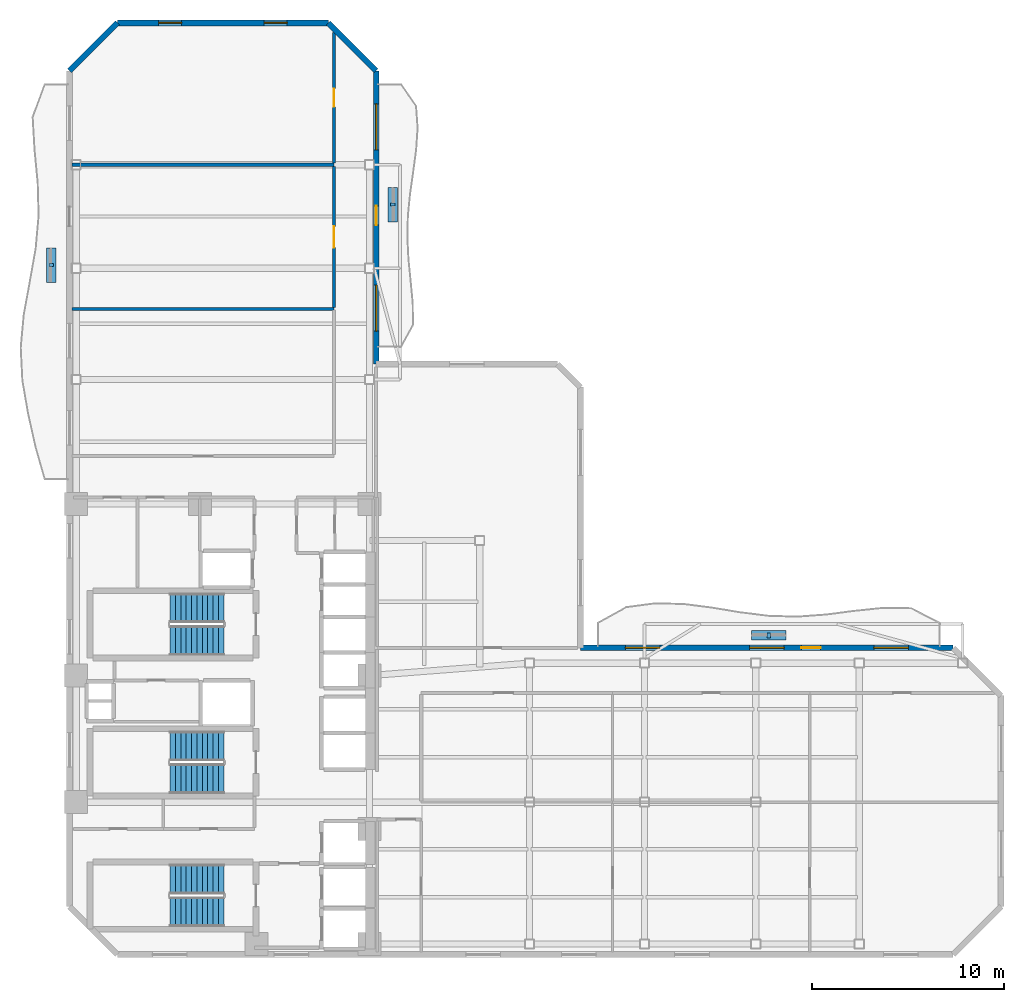
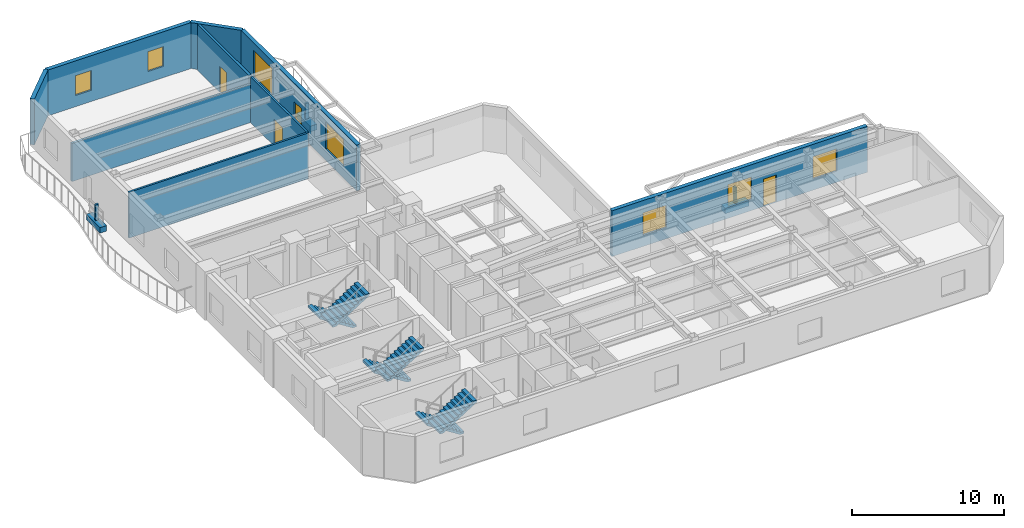
# One storey, part 6 of 9: 9 walls, 7 windows, 6 discrete accessories, 6 stair flights, 4 doors, 11 openings, 3 elements without a shape of their own.
"""IFC4 building model written with IfcOpenShell, lengths in metres."""

import ifcopenshell
import ifcopenshell.guid

model = None  # the IFC model being written
_history = None  # IfcOwnerHistory: only IFC2X3 demands one
_inside = {}  # id of a spatial element -> (the spatial element, [elements in it])
_under = {}  # id of a project, library or spatial element -> (it, [spatial elements below it])
_declared = {}  # id of a project -> (the project, [libraries it declares])
_typed = {}  # id of a type object -> (the type object, [elements of that type])
_made_of = {}  # id of a material, layer set ... -> (it, [elements and type objects made of it])


def new_model(schema):
    """Start an empty IFC model of exactly this schema.

    Asked for "IFC4X3", IfcOpenShell would pick the latest addendum, in which some entities
    have other attributes; the version numbers below select the first issue.
    IFC2X3 requires an IfcOwnerHistory on every rooted entity: one is made here for all.
    """
    global model, _history
    if schema == "IFC4X3":
        model = ifcopenshell.file(schema_version=(4, 3, 0, 0))
    else:
        model = ifcopenshell.file(schema=schema)
    _inside.clear()
    _under.clear()
    _declared.clear()
    _typed.clear()
    _made_of.clear()
    _history = None
    if model.schema == "IFC2X3":
        org = make("IfcOrganization", Name="unknown")
        user = make(
            "IfcPersonAndOrganization",
            ThePerson=make("IfcPerson", FamilyName="unknown"),
            TheOrganization=org,
        )
        app = make(
            "IfcApplication",
            ApplicationDeveloper=org,
            Version="unknown",
            ApplicationFullName="unknown",
            ApplicationIdentifier="unknown",
        )
        _history = make(
            "IfcOwnerHistory",
            OwningUser=user,
            OwningApplication=app,
            ChangeAction="ADDED",
            CreationDate=0,
        )
    return model


def make(cls, **values):
    """One entity of the class cls with the attributes given. An attribute that is None is left unset."""
    return model.create_entity(
        cls, **{name: value for name, value in values.items() if value is not None}
    )


def rooted(cls, **values):
    """An entity with a GlobalId (a new one), such as an element, a storey or a relation."""
    return make(cls, GlobalId=ifcopenshell.guid.new(), OwnerHistory=_history, **values)


def si_unit(unit_type, name, prefix=None):
    """IfcSIUnit, for example si_unit("LENGTHUNIT", "METRE", prefix="MILLI")."""
    return make("IfcSIUnit", UnitType=unit_type, Prefix=prefix, Name=name)


def assignment(units):
    """IfcUnitAssignment: the units of a project."""
    return None if units is None else make("IfcUnitAssignment", Units=units)


def point(xyz):
    """IfcCartesianPoint."""
    return None if xyz is None else make("IfcCartesianPoint", Coordinates=xyz)


def direction(xyz):
    """IfcDirection."""
    return None if xyz is None else make("IfcDirection", DirectionRatios=xyz)


def frame(location, z_axis=None, x_axis=None):
    """IfcAxis2Placement3D, a coordinate frame: its origin and axes. An axis left out is left unset."""
    return make(
        "IfcAxis2Placement3D",
        Location=point(location),
        Axis=direction(z_axis),
        RefDirection=direction(x_axis),
    )


def frame_2d(location, x_axis=None):
    """IfcAxis2Placement2D, a coordinate frame in the plane: its origin and x axis."""
    return make(
        "IfcAxis2Placement2D", Location=point(location), RefDirection=direction(x_axis)
    )


def origin():
    """The frame at (0, 0, 0) with its axes left unset."""
    return frame((0.0, 0.0, 0.0))


def origin_2d():
    """The frame at (0, 0) in the plane with its x axis left unset."""
    return frame_2d((0.0, 0.0))


def place(relative_to, where):
    """IfcLocalPlacement: puts the frame where relative to a parent placement (None: the world)."""
    return make(
        "IfcLocalPlacement", PlacementRelTo=relative_to, RelativePlacement=where
    )


def context(
    kind, dimensions, precision=None, world=None, true_north=None, identifier=None
):
    """IfcGeometricRepresentationContext, for example the 3D "Model" context."""
    return make(
        "IfcGeometricRepresentationContext",
        ContextIdentifier=identifier,
        ContextType=kind,
        CoordinateSpaceDimension=dimensions,
        Precision=precision,
        WorldCoordinateSystem=world,
        TrueNorth=true_north,
    )


def subcontext(parent, identifier, kind, view, scale=None):
    """IfcGeometricRepresentationSubContext, for example "Body" below "Model"."""
    return make(
        "IfcGeometricRepresentationSubContext",
        ContextIdentifier=identifier,
        ContextType=kind,
        ParentContext=parent,
        TargetScale=scale,
        TargetView=view,
    )


def project(units=None, contexts=None):
    """IfcProject with its units and contexts."""
    return rooted(
        "IfcProject",
        Name="project",
        RepresentationContexts=contexts,
        UnitsInContext=assignment(units),
    )


def spatial(cls, under=None, at=None, **own):
    """A site, building, storey or space (cls), placed at a placement, below another one or the project."""
    s = rooted(cls, ObjectPlacement=at, **own)
    if under is not None:
        _under.setdefault(under.id(), (under, []))[1].append(s)
    return s


def polyline(points):
    """IfcPolyline through the points."""
    return make("IfcPolyline", Points=[point(p) for p in points])


def profile(cls, at=None, kind="AREA", **sizes):
    """A parametric profile (cls). Its sizes go by their IFC names, for example OverallWidth=200.0."""
    return make(cls, ProfileType=kind, Position=at, **sizes)


def rectangle(**sizes):
    """IfcRectangleProfileDef."""
    return profile("IfcRectangleProfileDef", **sizes)


def outline(outer, holes=None, kind="AREA"):
    """IfcArbitraryClosedProfileDef: a profile drawn as a closed curve; with holes, ...WithVoids."""
    if holes is None:
        return make("IfcArbitraryClosedProfileDef", ProfileType=kind, OuterCurve=outer)
    return make(
        "IfcArbitraryProfileDefWithVoids",
        ProfileType=kind,
        OuterCurve=outer,
        InnerCurves=holes,
    )


def extrude(swept, where, along, depth):
    """IfcExtrudedAreaSolid: the profile swept, set in the frame where, extruded along a direction by depth."""
    return make(
        "IfcExtrudedAreaSolid",
        SweptArea=swept,
        Position=where,
        ExtrudedDirection=direction(along),
        Depth=depth,
    )


def shape(context_of_items, identifier, shape_type, items):
    """IfcShapeRepresentation: the items that make up one representation, for example the "Body"."""
    return make(
        "IfcShapeRepresentation",
        ContextOfItems=context_of_items,
        RepresentationIdentifier=identifier,
        RepresentationType=shape_type,
        Items=items,
    )


def material(Name=None, Category=None):
    """IfcMaterial."""
    return make("IfcMaterial", Name=Name, Category=Category)


def layer(
    of_material, thickness, ventilated=None, Name=None, Category=None, Priority=None
):
    """IfcMaterialLayer: one layer of a wall or slab, of a material (None: an air gap)."""
    return make(
        "IfcMaterialLayer",
        Material=of_material,
        LayerThickness=thickness,
        IsVentilated=ventilated,
        Name=Name,
        Category=Category,
        Priority=Priority,
    )


def layer_set(layers, Name=None):
    """IfcMaterialLayerSet."""
    return make("IfcMaterialLayerSet", MaterialLayers=layers, LayerSetName=Name)


def made_of(thing, what):
    """Note that an element or type object is made of a material, layer set ...; save() writes the relation."""
    if what is not None:
        _made_of.setdefault(what.id(), (what, []))[1].append(thing)
    return thing


def type_object(cls, material=None, **own):
    """A type object (cls), such as IfcWallType, which elements share."""
    return made_of(rooted(cls, **own), material)


def element(
    cls,
    number,
    at=None,
    inside=None,
    cuts=None,
    type_object=None,
    material=None,
    context=None,
    identifier="Body",
    shape_type=None,
    held_by="IfcProductDefinitionShape",
    body=None,
    shapes=None,
    **own,
):
    """One element of the class cls, such as IfcWall. Its Tag is "e" and its number.

    at: its placement. inside: the storey or other place that contains it. cuts: it is an
    opening in that element (IfcRelVoidsElement). A single representation is given by context,
    identifier, shape_type and body (its items); several are given by shapes. held_by: the class
    of the entity that holds the representations. save() writes the other relations.
    """
    e = rooted(cls, Tag="e%d" % number, ObjectPlacement=at, **own)
    if body is not None:
        shapes = [shape(context, identifier, shape_type, body)]
    if shapes is not None:
        e.Representation = make(held_by, Representations=shapes)
    if inside is not None:
        _inside.setdefault(inside.id(), (inside, []))[1].append(e)
    if cuts is not None:
        rooted(
            "IfcRelVoidsElement", RelatingBuildingElement=cuts, RelatedOpeningElement=e
        )
    if type_object is not None:
        _typed.setdefault(type_object.id(), (type_object, []))[1].append(e)
    return made_of(e, material)


def fill(opening, filler):
    """IfcRelFillsElement: the door or window that sits in an opening."""
    return rooted(
        "IfcRelFillsElement",
        RelatingOpeningElement=opening,
        RelatedBuildingElement=filler,
    )


def aggregate(whole, parts):
    """IfcRelAggregates: a whole, such as a stair, and the parts it consists of."""
    return rooted("IfcRelAggregates", RelatingObject=whole, RelatedObjects=parts)


def save(model, path):
    """Write the relations noted so far, then the file.

    IfcRelAggregates (storeys below a building ...), IfcRelContainedInSpatialStructure (elements
    in a storey), IfcRelDefinesByType, IfcRelAssociatesMaterial and IfcRelDeclares: one each for
    every whole, place, type object, material and project.
    """
    for whole, parts in _under.values():
        aggregate(whole, parts)
    for where, things in _inside.values():
        rooted(
            "IfcRelContainedInSpatialStructure",
            RelatedElements=things,
            RelatingStructure=where,
        )
    for kind, things in _typed.values():
        rooted("IfcRelDefinesByType", RelatedObjects=things, RelatingType=kind)
    for what, things in _made_of.values():
        rooted("IfcRelAssociatesMaterial", RelatedObjects=things, RelatingMaterial=what)
    for by, libraries in _declared.values():
        rooted("IfcRelDeclares", RelatingContext=by, RelatedDefinitions=libraries)
    model.write(path)


model = new_model("IFC4")

# Units and contexts
model_context = context("Model", 3, precision=1e-05, world=origin(), true_north=direction((0.0, 1.0)))
body_context = subcontext(model_context, "Body", "Model", "MODEL_VIEW")
ifc_project = project(units=[si_unit("LENGTHUNIT", "METRE"), si_unit("AREAUNIT", "SQUARE_METRE"), si_unit("VOLUMEUNIT", "CUBIC_METRE"), si_unit("PLANEANGLEUNIT", "RADIAN"), si_unit("MASSUNIT", "GRAM", prefix="KILO")], contexts=[model_context])

# Site, building, storey
site_placement = place(None, origin())
site = spatial("IfcSite", under=ifc_project, at=site_placement, CompositionType="ELEMENT")
building_placement = place(site_placement, origin())
building = spatial("IfcBuilding", under=site, at=building_placement, Name="Mawjaban Terraces University", CompositionType="ELEMENT")
storey_placement = place(building_placement, frame((0.0, 0.0, 111.199951171875)))
storey = spatial("IfcBuildingStorey", under=building, at=storey_placement, Name="L26", CompositionType="ELEMENT", Elevation=111.199951171875)

# Wall
ifc_material_1 = material(Name="Acoustic masonry blockwork", Category="masonry")
ifc_layer_1 = layer(ifc_material_1, 0.179931640625)
ifc_layer_set_1 = layer_set([ifc_layer_1], Name="Acoustic masonry blockwork")
wall_type_1 = type_object("IfcWallType", Name="AcousticStudioWall_180", PredefinedType="PARTITIONING", material=ifc_layer_set_1)
wall_1_placement = place(storey_placement, frame((35.800048828125, 41.199951171875, 0.0), z_axis=(0.0, 0.0, 1.0), x_axis=(-1.0, 0.0, 0.0)))
element("IfcWall", 1, at=wall_1_placement, inside=storey, type_object=wall_type_1, Name="L26 Computational Laboratory 9 Partition 13", PredefinedType="PARTITIONING", context=body_context, shape_type="SweptSolid", body=[
    extrude(rectangle(XDim=13.655029296875, YDim=0.179931640625, at=frame_2d((6.82763671875, 0.0))), origin(), (0.0, 0.0, 1.0), 3.073974609375),
])

# Wall, opening, door
wall_2_placement = place(storey_placement, frame((35.800048828125, 48.094970703125, 0.0), z_axis=(0.0, 0.0, 1.0), x_axis=(0.0, -1.0, 0.0)))
wall_2 = element("IfcWall", 2, at=wall_2_placement, inside=storey, type_object=wall_type_1, Name="L26 Inner Terrace Gallery Corridor North Partition 34", PredefinedType="PARTITIONING", context=body_context, shape_type="SweptSolid", body=[
    extrude(rectangle(XDim=6.81005859375, YDim=0.179931640625, at=frame_2d((3.405029296875, 0.0))), origin(), (0.0, 0.0, 1.0), 3.68994140625),
])
opening_1_placement = place(wall_2_placement, frame((2.929931640625, 0.0, 0.0)))
opening_1 = element("IfcOpeningElement", 3, at=opening_1_placement, cuts=wall_2, Name="Opening ID-095", PredefinedType="OPENING", context=body_context, shape_type="SweptSolid", body=[
    extrude(rectangle(XDim=0.949951171875, YDim=2.10009765625, at=frame_2d((0.47509765625, 1.050048828125))), frame((0.0, 0.099853515625, 0.0), z_axis=(0.0, -1.0, 0.0), x_axis=(1.0, 0.0, 0.0)), (0.0, 0.0, 1.0), 0.199951171875),
])
ifc_material_2 = material(Name="Powder-coated steel frame and solid acoustic timber leaf", Category="steel")
door_type_1 = type_object("IfcDoorType", Name="StudioDoor_950x2100", OperationType="NOTDEFINED", PredefinedType="DOOR", material=ifc_material_2)
door_1_placement = place(opening_1_placement, origin())
door_1 = element("IfcDoor", 4, at=door_1_placement, inside=storey, type_object=door_type_1, Name="L26 Design Studio 10 Door", OperationType="SINGLE_SWING_LEFT", OverallHeight=2.10009765625, OverallWidth=0.949951171875, PredefinedType="DOOR", context=body_context, shape_type="SweptSolid", body=[
    extrude(rectangle(XDim=0.949951171875, YDim=2.10009765625, at=frame_2d((0.47509765625, 1.050048828125))), frame((0.0, 0.02490234375, 0.0), z_axis=(0.0, -1.0, 0.0), x_axis=(1.0, 0.0, 0.0)), (0.0, 0.0, 1.0), 0.050048828125),
])
fill(opening_1, door_1)

# Wall, openings, door, windows
ifc_material_3 = material(Name="Insulated terracotta rainscreen on concrete backup C40/50", Category="masonry")
ifc_layer_2 = layer(ifc_material_3, 0.300048828125)
ifc_layer_set_2 = layer_set([ifc_layer_2], Name="Insulated terracotta rainscreen on concrete backup C40/50")
wall_type_2 = type_object("IfcWallType", Name="ExtTerracottaWall_300", PredefinedType="SOLIDWALL", material=ifc_layer_set_2)
wall_3_placement = place(storey_placement, frame((68.10009765625, 16.0, 0.0), z_axis=(0.0, 0.0, 1.0), x_axis=(-1.0, 0.0, 0.0)))
wall_3 = element("IfcWall", 5, at=wall_3_placement, inside=storey, type_object=wall_type_2, Name="L26 Exterior Terracotta Wall 5", PredefinedType="SOLIDWALL", context=body_context, shape_type="SweptSolid", body=[
    extrude(rectangle(XDim=19.444091796875, YDim=0.300048828125, at=frame_2d((9.72216796875, 0.0))), origin(), (0.0, 0.0, 1.0), 3.68994140625),
])
opening_2_placement = place(wall_3_placement, frame((6.922119140625, 0.0, 0.0)))
opening_2 = element("IfcOpeningElement", 6, at=opening_2_placement, cuts=wall_3, Name="Opening BD-100", PredefinedType="OPENING", context=body_context, shape_type="SweptSolid", body=[
    extrude(rectangle(XDim=1.0, YDim=2.199951171875, at=frame_2d((0.5, 1.10009765625))), frame((0.0, 0.159912109375, 0.0), z_axis=(0.0, -1.0, 0.0), x_axis=(1.0, 0.0, 0.0)), (0.0, 0.0, 1.0), 0.320068359375),
])
opening_3_placement = place(wall_3_placement, frame((2.341064453125, 0.0, 0.89990234375)))
opening_3 = element("IfcOpeningElement", 7, at=opening_3_placement, cuts=wall_3, Name="Opening W-07", PredefinedType="OPENING", context=body_context, shape_type="SweptSolid", body=[
    extrude(rectangle(XDim=1.800048828125, YDim=1.800048828125, at=frame_2d((0.89990234375, 0.89990234375))), frame((0.0, 0.159912109375, 0.0), z_axis=(0.0, -1.0, 0.0), x_axis=(1.0, 0.0, 0.0)), (0.0, 0.0, 1.0), 0.320068359375),
])
opening_4_placement = place(wall_3_placement, frame((8.822021484375, 0.0, 0.89990234375)))
opening_4 = element("IfcOpeningElement", 8, at=opening_4_placement, cuts=wall_3, Name="Opening W-07", PredefinedType="OPENING", context=body_context, shape_type="SweptSolid", body=[
    extrude(rectangle(XDim=1.800048828125, YDim=1.800048828125, at=frame_2d((0.89990234375, 0.89990234375))), frame((0.0, 0.159912109375, 0.0), z_axis=(0.0, -1.0, 0.0), x_axis=(1.0, 0.0, 0.0)), (0.0, 0.0, 1.0), 0.320068359375),
])
opening_5_placement = place(wall_3_placement, frame((15.302978515625, 0.0, 0.89990234375)))
opening_5 = element("IfcOpeningElement", 9, at=opening_5_placement, cuts=wall_3, Name="Opening W-07", PredefinedType="OPENING", context=body_context, shape_type="SweptSolid", body=[
    extrude(rectangle(XDim=1.800048828125, YDim=1.800048828125, at=frame_2d((0.89990234375, 0.89990234375))), frame((0.0, 0.159912109375, 0.0), z_axis=(0.0, -1.0, 0.0), x_axis=(1.0, 0.0, 0.0)), (0.0, 0.0, 1.0), 0.320068359375),
])
ifc_material_4 = material(Name="Thermally broken anodised aluminium and laminated safety glass", Category="aluminium")
door_type_2 = type_object("IfcDoorType", Name="BalconyGlazedDoor_1000x2200", OperationType="NOTDEFINED", PredefinedType="DOOR", material=ifc_material_4)
door_2_placement = place(opening_2_placement, origin())
door_2 = element("IfcDoor", 10, at=door_2_placement, inside=storey, type_object=door_type_2, Name="L26 Balcony Access Door inner_north", OperationType="SINGLE_SWING_LEFT", OverallHeight=2.199951171875, OverallWidth=1.0, PredefinedType="DOOR", context=body_context, shape_type="SweptSolid", body=[
    extrude(rectangle(XDim=1.0, YDim=2.199951171875, at=frame_2d((0.5, 1.10009765625))), frame((0.0, 0.02490234375, 0.0), z_axis=(0.0, -1.0, 0.0), x_axis=(1.0, 0.0, 0.0)), (0.0, 0.0, 1.0), 0.050048828125),
])
fill(opening_2, door_2)
ifc_material_5 = material(Name="Low-E solar-control double glazing in thermally broken aluminium frame", Category="aluminium")
window_type_1 = type_object("IfcWindowType", Name="Win_1800x1800", PartitioningType="SINGLE_PANEL", PredefinedType="WINDOW", material=ifc_material_5)
window_1_placement = place(opening_3_placement, origin())
window_1 = element("IfcWindow", 11, at=window_1_placement, inside=storey, type_object=window_type_1, Name="L26 Facade Window 5.1", OverallHeight=1.800048828125, OverallWidth=1.800048828125, PartitioningType="SINGLE_PANEL", PredefinedType="WINDOW", context=body_context, shape_type="SweptSolid", body=[
    extrude(rectangle(XDim=1.800048828125, YDim=1.800048828125, at=frame_2d((0.89990234375, 0.89990234375))), frame((0.0, 0.030029296875, 0.0), z_axis=(0.0, -1.0, 0.0), x_axis=(1.0, 0.0, 0.0)), (0.0, 0.0, 1.0), 0.06005859375),
])
fill(opening_3, window_1)
window_2_placement = place(opening_4_placement, origin())
window_2 = element("IfcWindow", 12, at=window_2_placement, inside=storey, type_object=window_type_1, Name="L26 Facade Window 5.2", OverallHeight=1.800048828125, OverallWidth=1.800048828125, PartitioningType="SINGLE_PANEL", PredefinedType="WINDOW", context=body_context, shape_type="SweptSolid", body=[
    extrude(rectangle(XDim=1.800048828125, YDim=1.800048828125, at=frame_2d((0.89990234375, 0.89990234375))), frame((0.0, 0.030029296875, 0.0), z_axis=(0.0, -1.0, 0.0), x_axis=(1.0, 0.0, 0.0)), (0.0, 0.0, 1.0), 0.06005859375),
])
fill(opening_4, window_2)
window_3_placement = place(opening_5_placement, origin())
window_3 = element("IfcWindow", 13, at=window_3_placement, inside=storey, type_object=window_type_1, Name="L26 Facade Window 5.3", OverallHeight=1.800048828125, OverallWidth=1.800048828125, PartitioningType="SINGLE_PANEL", PredefinedType="WINDOW", context=body_context, shape_type="SweptSolid", body=[
    extrude(rectangle(XDim=1.800048828125, YDim=1.800048828125, at=frame_2d((0.89990234375, 0.89990234375))), frame((0.0, 0.030029296875, 0.0), z_axis=(0.0, -1.0, 0.0), x_axis=(1.0, 0.0, 0.0)), (0.0, 0.0, 1.0), 0.06005859375),
])
fill(opening_5, window_3)

wall_4_placement = place(storey_placement, frame((38.0, 30.800048828125, 0.0), z_axis=(0.0, 0.0, 1.0), x_axis=(0.0, 1.0, 0.0)))
wall_4 = element("IfcWall", 14, at=wall_4_placement, inside=storey, type_object=wall_type_2, Name="L26 Exterior Terracotta Wall 9", PredefinedType="SOLIDWALL", context=body_context, shape_type="SweptSolid", body=[
    extrude(rectangle(XDim=15.300048828125, YDim=0.300048828125, at=frame_2d((7.64990234375, 0.0))), origin(), (0.0, 0.0, 1.0), 3.68994140625),
])
opening_6_placement = place(wall_4_placement, frame((7.25, 0.0, 0.0)))
opening_6 = element("IfcOpeningElement", 15, at=opening_6_placement, cuts=wall_4, Name="Opening BD-100", PredefinedType="OPENING", context=body_context, shape_type="SweptSolid", body=[
    extrude(rectangle(XDim=1.0, YDim=2.199951171875, at=frame_2d((0.5, 1.10009765625))), frame((0.0, 0.159912109375, 0.0), z_axis=(0.0, -1.0, 0.0), x_axis=(1.0, 0.0, 0.0)), (0.0, 0.0, 1.0), 0.320068359375),
])
opening_7_placement = place(wall_4_placement, frame((1.72509765625, 0.0, 0.89990234375)))
opening_7 = element("IfcOpeningElement", 16, at=opening_7_placement, cuts=wall_4, Name="Opening W-11", PredefinedType="OPENING", context=body_context, shape_type="SweptSolid", body=[
    extrude(rectangle(XDim=2.39990234375, YDim=2.199951171875, at=frame_2d((1.199951171875, 1.10009765625))), frame((0.0, 0.159912109375, 0.0), z_axis=(0.0, -1.0, 0.0), x_axis=(1.0, 0.0, 0.0)), (0.0, 0.0, 1.0), 0.320068359375),
])
opening_8_placement = place(wall_4_placement, frame((11.175048828125, 0.0, 0.89990234375)))
opening_8 = element("IfcOpeningElement", 17, at=opening_8_placement, cuts=wall_4, Name="Opening W-11", PredefinedType="OPENING", context=body_context, shape_type="SweptSolid", body=[
    extrude(rectangle(XDim=2.39990234375, YDim=2.199951171875, at=frame_2d((1.199951171875, 1.10009765625))), frame((0.0, 0.159912109375, 0.0), z_axis=(0.0, -1.0, 0.0), x_axis=(1.0, 0.0, 0.0)), (0.0, 0.0, 1.0), 0.320068359375),
])
door_3_placement = place(opening_6_placement, origin())
door_3 = element("IfcDoor", 18, at=door_3_placement, inside=storey, type_object=door_type_2, Name="L26 Balcony Access Door inner_east", OperationType="SINGLE_SWING_LEFT", OverallHeight=2.199951171875, OverallWidth=1.0, PredefinedType="DOOR", context=body_context, shape_type="SweptSolid", body=[
    extrude(rectangle(XDim=1.0, YDim=2.199951171875, at=frame_2d((0.5, 1.10009765625))), frame((0.0, 0.02490234375, 0.0), z_axis=(0.0, -1.0, 0.0), x_axis=(1.0, 0.0, 0.0)), (0.0, 0.0, 1.0), 0.050048828125),
])
fill(opening_6, door_3)
window_type_2 = type_object("IfcWindowType", Name="Win_2400x2200", PartitioningType="SINGLE_PANEL", PredefinedType="WINDOW", material=ifc_material_5)
window_4_placement = place(opening_7_placement, origin())
window_4 = element("IfcWindow", 19, at=window_4_placement, inside=storey, type_object=window_type_2, Name="L26 Facade Window 9.1", OverallHeight=2.199951171875, OverallWidth=2.39990234375, PartitioningType="SINGLE_PANEL", PredefinedType="WINDOW", context=body_context, shape_type="SweptSolid", body=[
    extrude(rectangle(XDim=2.39990234375, YDim=2.199951171875, at=frame_2d((1.199951171875, 1.10009765625))), frame((0.0, 0.030029296875, 0.0), z_axis=(0.0, -1.0, 0.0), x_axis=(1.0, 0.0, 0.0)), (0.0, 0.0, 1.0), 0.06005859375),
])
fill(opening_7, window_4)
window_5_placement = place(opening_8_placement, origin())
window_5 = element("IfcWindow", 20, at=window_5_placement, inside=storey, type_object=window_type_2, Name="L26 Facade Window 9.2", OverallHeight=2.199951171875, OverallWidth=2.39990234375, PartitioningType="SINGLE_PANEL", PredefinedType="WINDOW", context=body_context, shape_type="SweptSolid", body=[
    extrude(rectangle(XDim=2.39990234375, YDim=2.199951171875, at=frame_2d((1.199951171875, 1.10009765625))), frame((0.0, 0.030029296875, 0.0), z_axis=(0.0, -1.0, 0.0), x_axis=(1.0, 0.0, 0.0)), (0.0, 0.0, 1.0), 0.06005859375),
])
fill(opening_8, window_5)

# Wall
wall_5_placement = place(storey_placement, frame((38.0, 46.10009765625, 0.0), z_axis=(0.0, 0.0, 1.0), x_axis=(-0.707106781187, 0.707106781187, 0.0)))
element("IfcWall", 21, at=wall_5_placement, inside=storey, type_object=wall_type_2, Name="L26 Exterior Terracotta Wall 10", PredefinedType="SOLIDWALL", context=body_context, shape_type="SweptSolid", body=[
    extrude(rectangle(XDim=3.53564453125, YDim=0.300048828125, at=frame_2d((1.767822265625, 0.0))), origin(), (0.0, 0.0, 1.0), 3.68994140625),
])

# Wall, openings, windows
wall_6_placement = place(storey_placement, frame((35.5, 48.60009765625, 0.0), z_axis=(0.0, 0.0, 1.0), x_axis=(-1.0, 0.0, 0.0)))
wall_6 = element("IfcWall", 22, at=wall_6_placement, inside=storey, type_object=wall_type_2, Name="L26 Exterior Terracotta Wall 11", PredefinedType="SOLIDWALL", context=body_context, shape_type="SweptSolid", body=[
    extrude(rectangle(XDim=11.0, YDim=0.300048828125, at=frame_2d((5.5, 0.0))), origin(), (0.0, 0.0, 1.0), 3.68994140625),
])
opening_9_placement = place(wall_6_placement, frame((2.14990234375, 0.0, 0.89990234375)))
opening_9 = element("IfcOpeningElement", 23, at=opening_9_placement, cuts=wall_6, Name="Opening W-01", PredefinedType="OPENING", context=body_context, shape_type="SweptSolid", body=[
    extrude(rectangle(XDim=1.199951171875, YDim=1.60009765625, at=frame_2d((0.60009765625, 0.800048828125))), frame((0.0, 0.159912109375, 0.0), z_axis=(0.0, -1.0, 0.0), x_axis=(1.0, 0.0, 0.0)), (0.0, 0.0, 1.0), 0.320068359375),
])
opening_10_placement = place(wall_6_placement, frame((7.64990234375, 0.0, 0.89990234375)))
opening_10 = element("IfcOpeningElement", 24, at=opening_10_placement, cuts=wall_6, Name="Opening W-01", PredefinedType="OPENING", context=body_context, shape_type="SweptSolid", body=[
    extrude(rectangle(XDim=1.199951171875, YDim=1.60009765625, at=frame_2d((0.60009765625, 0.800048828125))), frame((0.0, 0.159912109375, 0.0), z_axis=(0.0, -1.0, 0.0), x_axis=(1.0, 0.0, 0.0)), (0.0, 0.0, 1.0), 0.320068359375),
])
window_type_3 = type_object("IfcWindowType", Name="Win_1200x1600", PartitioningType="SINGLE_PANEL", PredefinedType="WINDOW", material=ifc_material_5)
window_6_placement = place(opening_9_placement, origin())
window_6 = element("IfcWindow", 25, at=window_6_placement, inside=storey, type_object=window_type_3, Name="L26 Facade Window 11.1", OverallHeight=1.60009765625, OverallWidth=1.199951171875, PartitioningType="SINGLE_PANEL", PredefinedType="WINDOW", context=body_context, shape_type="SweptSolid", body=[
    extrude(rectangle(XDim=1.199951171875, YDim=1.60009765625, at=frame_2d((0.60009765625, 0.800048828125))), frame((0.0, 0.030029296875, 0.0), z_axis=(0.0, -1.0, 0.0), x_axis=(1.0, 0.0, 0.0)), (0.0, 0.0, 1.0), 0.06005859375),
])
fill(opening_9, window_6)
window_7_placement = place(opening_10_placement, origin())
window_7 = element("IfcWindow", 26, at=window_7_placement, inside=storey, type_object=window_type_3, Name="L26 Facade Window 11.2", OverallHeight=1.60009765625, OverallWidth=1.199951171875, PartitioningType="SINGLE_PANEL", PredefinedType="WINDOW", context=body_context, shape_type="SweptSolid", body=[
    extrude(rectangle(XDim=1.199951171875, YDim=1.60009765625, at=frame_2d((0.60009765625, 0.800048828125))), frame((0.0, 0.030029296875, 0.0), z_axis=(0.0, -1.0, 0.0), x_axis=(1.0, 0.0, 0.0)), (0.0, 0.0, 1.0), 0.06005859375),
])
fill(opening_10, window_7)

# Walls
wall_7_placement = place(storey_placement, frame((24.5, 48.60009765625, 0.0), z_axis=(0.0, 0.0, 1.0), x_axis=(-0.707106781187, -0.707106781187, 0.0)))
element("IfcWall", 27, at=wall_7_placement, inside=storey, type_object=wall_type_2, Name="L26 Exterior Terracotta Wall 12", PredefinedType="SOLIDWALL", context=body_context, shape_type="SweptSolid", body=[
    extrude(rectangle(XDim=3.53564453125, YDim=0.300048828125, at=frame_2d((1.767822265625, 0.0))), origin(), (0.0, 0.0, 1.0), 3.68994140625),
])
ifc_material_6 = material(Name="Moisture-resistant gypsum board on steel stud", Category="steel")
ifc_layer_3 = layer(ifc_material_6, 0.14501953125)
ifc_layer_set_3 = layer_set([ifc_layer_3], Name="Moisture-resistant gypsum board on steel stud")
wall_type_3 = type_object("IfcWallType", Name="LabPartition_145", PredefinedType="PARTITIONING", material=ifc_layer_set_3)
wall_8_placement = place(storey_placement, frame((35.800048828125, 33.679931640625, 0.0), z_axis=(0.0, 0.0, 1.0), x_axis=(-1.0, 0.0, 0.0)))
element("IfcWall", 28, at=wall_8_placement, inside=storey, type_object=wall_type_3, Name="L26 Classroom 8 Partition 12", PredefinedType="PARTITIONING", context=body_context, shape_type="SweptSolid", body=[
    extrude(rectangle(XDim=13.655029296875, YDim=0.14501953125, at=frame_2d((6.82763671875, 0.0))), origin(), (0.0, 0.0, 1.0), 3.68994140625),
])

# Wall, opening, door
wall_9_placement = place(storey_placement, frame((35.800048828125, 41.114990234375, 0.0), z_axis=(0.0, 0.0, 1.0), x_axis=(0.0, -1.0, 0.0)))
wall_9 = element("IfcWall", 29, at=wall_9_placement, inside=storey, type_object=wall_type_3, Name="L26 Inner Terrace Gallery Corridor North Partition 33", PredefinedType="PARTITIONING", context=body_context, shape_type="SweptSolid", body=[
    extrude(rectangle(XDim=7.366943359375, YDim=0.14501953125, at=frame_2d((3.68359375, 0.0))), origin(), (0.0, 0.0, 1.0), 3.68994140625),
])
opening_11_placement = place(wall_9_placement, frame((3.134033203125, 0.0, 0.0)))
opening_11 = element("IfcOpeningElement", 30, at=opening_11_placement, cuts=wall_9, Name="Opening ID-110", PredefinedType="OPENING", context=body_context, shape_type="SweptSolid", body=[
    extrude(rectangle(XDim=1.10009765625, YDim=2.14990234375, at=frame_2d((0.550048828125, 1.074951171875))), frame((0.0, 0.08251953125, 0.0), z_axis=(0.0, -1.0, 0.0), x_axis=(1.0, 0.0, 0.0)), (0.0, 0.0, 1.0), 0.1650390625),
])
door_type_3 = type_object("IfcDoorType", Name="LabDoor_1100x2150", OperationType="NOTDEFINED", PredefinedType="DOOR", material=ifc_material_2)
door_4_placement = place(opening_11_placement, origin())
door_4 = element("IfcDoor", 31, at=door_4_placement, inside=storey, type_object=door_type_3, Name="L26 Computational Laboratory 9 Door", OperationType="SINGLE_SWING_RIGHT", OverallHeight=2.14990234375, OverallWidth=1.10009765625, PredefinedType="DOOR", context=body_context, shape_type="SweptSolid", body=[
    extrude(rectangle(XDim=1.10009765625, YDim=2.14990234375, at=frame_2d((0.550048828125, 1.074951171875))), frame((0.0, 0.02490234375, 0.0), z_axis=(0.0, -1.0, 0.0), x_axis=(1.0, 0.0, 0.0)), (0.0, 0.0, 1.0), 0.050048828125),
])
fill(opening_11, door_4)

# Stair, stair flights
ifc_material_7 = material(Name="Concrete C40/50", Category="concrete")
stair_type = type_object("IfcStairType", Name="Stair_Core1550_H39", PredefinedType="HALF_TURN_STAIR", material=ifc_material_7)
stair_1_placement = place(storey_placement, origin())
stair_1 = element("IfcStair", 32, at=stair_1_placement, inside=storey, type_object=stair_type, Name="L26 Core Exit Stair 1", PredefinedType="HALF_TURN_STAIR")
stair_flight_type = type_object("IfcStairFlightType", Name="Flight_Core1550_H39", PredefinedType="STRAIGHT", material=ifc_material_7)
stair_flight_1_placement = place(storey_placement, frame((30.050048828125, 3.925048828125, 0.0), z_axis=(0.0, 0.0, 1.0), x_axis=(-1.0, 0.0, 0.0)))
stair_flight_1 = element("IfcStairFlight", 33, at=stair_flight_1_placement, type_object=stair_flight_type, Name="ST-1 flight 1", NumberOfRisers=11, NumberOfTreads=10, PredefinedType="STRAIGHT", RiserHeight=0.177272727, TreadLength=0.28, context=body_context, shape_type="SweptSolid", body=[
    extrude(outline(polyline([(0.0, 0.0), (0.0, 0.17724609375), (0.280029296875, 0.17724609375), (0.280029296875, 0.3544921875), (0.56005859375, 0.3544921875), (0.56005859375, 0.53173828125), (0.840087890625, 0.53173828125), (0.840087890625, 0.708984375), (1.1201171875, 0.708984375), (1.1201171875, 0.886474609375), (1.39990234375, 0.886474609375), (1.39990234375, 1.063720703125), (1.679931640625, 1.063720703125), (1.679931640625, 1.240966796875), (1.9599609375, 1.240966796875), (1.9599609375, 1.418212890625), (2.239990234375, 1.418212890625), (2.239990234375, 1.595458984375), (2.52001953125, 1.595458984375), (2.52001953125, 1.772705078125), (2.800048828125, 1.772705078125), (2.800048828125, 1.949951171875), (2.800048828125, 1.59521484375), (0.2802734375, 0.0), (0.0, 0.0)])), frame((0.0, 0.77490234375, 0.0), z_axis=(0.0, -1.0, 0.0), x_axis=(1.0, 0.0, 0.0)), (0.0, 0.0, 1.0), 1.550048828125),
])
stair_flight_2_placement = place(storey_placement, frame((27.25, 2.22509765625, 1.949951171875), z_axis=(0.0, 0.0, 1.0), x_axis=(1.0, 0.0, 0.0)))
stair_flight_2 = element("IfcStairFlight", 34, at=stair_flight_2_placement, type_object=stair_flight_type, Name="ST-1 flight 2", NumberOfRisers=11, NumberOfTreads=10, PredefinedType="STRAIGHT", RiserHeight=0.177272727, TreadLength=0.28, context=body_context, shape_type="SweptSolid", body=[
    extrude(outline(polyline([(0.0, 0.0), (0.0, 0.17724609375), (0.280029296875, 0.17724609375), (0.280029296875, 0.3544921875), (0.56005859375, 0.3544921875), (0.56005859375, 0.53173828125), (0.840087890625, 0.53173828125), (0.840087890625, 0.708984375), (1.1201171875, 0.708984375), (1.1201171875, 0.886474609375), (1.39990234375, 0.886474609375), (1.39990234375, 1.063720703125), (1.679931640625, 1.063720703125), (1.679931640625, 1.240966796875), (1.9599609375, 1.240966796875), (1.9599609375, 1.418212890625), (2.239990234375, 1.418212890625), (2.239990234375, 1.595458984375), (2.52001953125, 1.595458984375), (2.52001953125, 1.772705078125), (2.800048828125, 1.772705078125), (2.800048828125, 1.949951171875), (2.800048828125, 1.59521484375), (0.2802734375, 0.0), (0.0, 0.0)])), frame((0.0, 0.77490234375, 0.0), z_axis=(0.0, -1.0, 0.0), x_axis=(1.0, 0.0, 0.0)), (0.0, 0.0, 1.0), 1.550048828125),
])
aggregate(stair_1, [stair_flight_1, stair_flight_2])

stair_2_placement = place(storey_placement, origin())
stair_2 = element("IfcStair", 35, at=stair_2_placement, inside=storey, type_object=stair_type, Name="L26 Core Exit Stair 2", PredefinedType="HALF_TURN_STAIR")
stair_flight_3_placement = place(storey_placement, frame((30.050048828125, 18.074951171875, 0.0), z_axis=(0.0, 0.0, 1.0), x_axis=(-1.0, 0.0, 0.0)))
stair_flight_3 = element("IfcStairFlight", 36, at=stair_flight_3_placement, type_object=stair_flight_type, Name="ST-2 flight 1", NumberOfRisers=11, NumberOfTreads=10, PredefinedType="STRAIGHT", RiserHeight=0.177272727, TreadLength=0.28, context=body_context, shape_type="SweptSolid", body=[
    extrude(outline(polyline([(0.0, 0.0), (0.0, 0.17724609375), (0.280029296875, 0.17724609375), (0.280029296875, 0.3544921875), (0.56005859375, 0.3544921875), (0.56005859375, 0.53173828125), (0.840087890625, 0.53173828125), (0.840087890625, 0.708984375), (1.1201171875, 0.708984375), (1.1201171875, 0.886474609375), (1.39990234375, 0.886474609375), (1.39990234375, 1.063720703125), (1.679931640625, 1.063720703125), (1.679931640625, 1.240966796875), (1.9599609375, 1.240966796875), (1.9599609375, 1.418212890625), (2.239990234375, 1.418212890625), (2.239990234375, 1.595458984375), (2.52001953125, 1.595458984375), (2.52001953125, 1.772705078125), (2.800048828125, 1.772705078125), (2.800048828125, 1.949951171875), (2.800048828125, 1.59521484375), (0.2802734375, 0.0), (0.0, 0.0)])), frame((0.0, 0.77490234375, 0.0), z_axis=(0.0, -1.0, 0.0), x_axis=(1.0, 0.0, 0.0)), (0.0, 0.0, 1.0), 1.550048828125),
])
stair_flight_4_placement = place(storey_placement, frame((27.25, 16.375, 1.949951171875), z_axis=(0.0, 0.0, 1.0), x_axis=(1.0, 0.0, 0.0)))
stair_flight_4 = element("IfcStairFlight", 37, at=stair_flight_4_placement, type_object=stair_flight_type, Name="ST-2 flight 2", NumberOfRisers=11, NumberOfTreads=10, PredefinedType="STRAIGHT", RiserHeight=0.177272727, TreadLength=0.28, context=body_context, shape_type="SweptSolid", body=[
    extrude(outline(polyline([(0.0, 0.0), (0.0, 0.17724609375), (0.280029296875, 0.17724609375), (0.280029296875, 0.3544921875), (0.56005859375, 0.3544921875), (0.56005859375, 0.53173828125), (0.840087890625, 0.53173828125), (0.840087890625, 0.708984375), (1.1201171875, 0.708984375), (1.1201171875, 0.886474609375), (1.39990234375, 0.886474609375), (1.39990234375, 1.063720703125), (1.679931640625, 1.063720703125), (1.679931640625, 1.240966796875), (1.9599609375, 1.240966796875), (1.9599609375, 1.418212890625), (2.239990234375, 1.418212890625), (2.239990234375, 1.595458984375), (2.52001953125, 1.595458984375), (2.52001953125, 1.772705078125), (2.800048828125, 1.772705078125), (2.800048828125, 1.949951171875), (2.800048828125, 1.59521484375), (0.2802734375, 0.0), (0.0, 0.0)])), frame((0.0, 0.77490234375, 0.0), z_axis=(0.0, -1.0, 0.0), x_axis=(1.0, 0.0, 0.0)), (0.0, 0.0, 1.0), 1.550048828125),
])
aggregate(stair_2, [stair_flight_3, stair_flight_4])

stair_3_placement = place(storey_placement, origin())
stair_3 = element("IfcStair", 38, at=stair_3_placement, inside=storey, type_object=stair_type, Name="L26 Core Exit Stair 3", PredefinedType="HALF_TURN_STAIR")
stair_flight_5_placement = place(storey_placement, frame((30.050048828125, 10.875, 0.0), z_axis=(0.0, 0.0, 1.0), x_axis=(-1.0, 0.0, 0.0)))
stair_flight_5 = element("IfcStairFlight", 39, at=stair_flight_5_placement, type_object=stair_flight_type, Name="ST-3 flight 1", NumberOfRisers=11, NumberOfTreads=10, PredefinedType="STRAIGHT", RiserHeight=0.177272727, TreadLength=0.28, context=body_context, shape_type="SweptSolid", body=[
    extrude(outline(polyline([(0.0, 0.0), (0.0, 0.17724609375), (0.280029296875, 0.17724609375), (0.280029296875, 0.3544921875), (0.56005859375, 0.3544921875), (0.56005859375, 0.53173828125), (0.840087890625, 0.53173828125), (0.840087890625, 0.708984375), (1.1201171875, 0.708984375), (1.1201171875, 0.886474609375), (1.39990234375, 0.886474609375), (1.39990234375, 1.063720703125), (1.679931640625, 1.063720703125), (1.679931640625, 1.240966796875), (1.9599609375, 1.240966796875), (1.9599609375, 1.418212890625), (2.239990234375, 1.418212890625), (2.239990234375, 1.595458984375), (2.52001953125, 1.595458984375), (2.52001953125, 1.772705078125), (2.800048828125, 1.772705078125), (2.800048828125, 1.949951171875), (2.800048828125, 1.59521484375), (0.2802734375, 0.0), (0.0, 0.0)])), frame((0.0, 0.77490234375, 0.0), z_axis=(0.0, -1.0, 0.0), x_axis=(1.0, 0.0, 0.0)), (0.0, 0.0, 1.0), 1.550048828125),
])
stair_flight_6_placement = place(storey_placement, frame((27.25, 9.175048828125, 1.949951171875), z_axis=(0.0, 0.0, 1.0), x_axis=(1.0, 0.0, 0.0)))
stair_flight_6 = element("IfcStairFlight", 40, at=stair_flight_6_placement, type_object=stair_flight_type, Name="ST-3 flight 2", NumberOfRisers=11, NumberOfTreads=10, PredefinedType="STRAIGHT", RiserHeight=0.177272727, TreadLength=0.28, context=body_context, shape_type="SweptSolid", body=[
    extrude(outline(polyline([(0.0, 0.0), (0.0, 0.17724609375), (0.280029296875, 0.17724609375), (0.280029296875, 0.3544921875), (0.56005859375, 0.3544921875), (0.56005859375, 0.53173828125), (0.840087890625, 0.53173828125), (0.840087890625, 0.708984375), (1.1201171875, 0.708984375), (1.1201171875, 0.886474609375), (1.39990234375, 0.886474609375), (1.39990234375, 1.063720703125), (1.679931640625, 1.063720703125), (1.679931640625, 1.240966796875), (1.9599609375, 1.240966796875), (1.9599609375, 1.418212890625), (2.239990234375, 1.418212890625), (2.239990234375, 1.595458984375), (2.52001953125, 1.595458984375), (2.52001953125, 1.772705078125), (2.800048828125, 1.772705078125), (2.800048828125, 1.949951171875), (2.800048828125, 1.59521484375), (0.2802734375, 0.0), (0.0, 0.0)])), frame((0.0, 0.77490234375, 0.0), z_axis=(0.0, -1.0, 0.0), x_axis=(1.0, 0.0, 0.0)), (0.0, 0.0, 1.0), 1.550048828125),
])
aggregate(stair_3, [stair_flight_5, stair_flight_6])

# Discrete accessories
ifc_material_8 = material(Name="Stainless steel 316L", Category="steel")
discrete_accessory_type_1 = type_object("IfcDiscreteAccessoryType", Name="FacadeScreenBracket_Steel", PredefinedType="BRACKET", material=ifc_material_8)
for number, where, z_axis, x_axis, name in (
    (41, (21.0400390625, 35.958984375, 0.419921875), (0.0, 0.0, 1.0), (0.0, 1.0, 0.0), "L26 Balcony Screen Support Bracket west"),
    (42, (58.47802734375, 16.64501953125, 0.419921875), (0.0, 0.0, 1.0), (1.0, 0.0, 0.0), "L26 Balcony Screen Support Bracket inner_north"),
    (43, (38.85595703125, 39.12109375, 0.419921875), (0.0, 0.0, 1.0), (0.0, 1.0, 0.0), "L26 Balcony Screen Support Bracket inner_east"),
):
    element("IfcDiscreteAccessory", number, at=place(storey_placement, frame(where, z_axis=z_axis, x_axis=x_axis)), inside=storey, type_object=discrete_accessory_type_1, Name=name, PredefinedType="BRACKET", context=body_context, shape_type="SweptSolid", body=[
        extrude(rectangle(XDim=0.159912109375, YDim=0.239990234375, at=origin_2d()), origin(), (0.0, 0.0, 1.0), 1.300048828125),
    ])
ifc_material_9 = material(Name="Precast architectural terracotta planter with engineered planting soil", Category="masonry")
discrete_accessory_type_2 = type_object("IfcDiscreteAccessoryType", Name="IrrigatedPlanterTrough_450", PredefinedType="USERDEFINED", material=ifc_material_9)
for number, where, z_axis, x_axis, name in (
    (44, (21.0400390625, 35.958984375, -0.0048828125), (0.0, 0.0, 1.0), (0.0, 1.0, 0.0), "L26 Balcony Irrigated Planter west"),
    (45, (58.47802734375, 16.64501953125, -0.0048828125), (0.0, 0.0, 1.0), (1.0, 0.0, 0.0), "L26 Balcony Irrigated Planter inner_north"),
    (46, (38.85595703125, 39.12109375, -0.0048828125), (0.0, 0.0, 1.0), (0.0, 1.0, 0.0), "L26 Balcony Irrigated Planter inner_east"),
):
    element("IfcDiscreteAccessory", number, at=place(storey_placement, frame(where, z_axis=z_axis, x_axis=x_axis)), inside=storey, type_object=discrete_accessory_type_2, Name=name, ObjectType="PLANTER", PredefinedType="USERDEFINED", context=body_context, shape_type="SweptSolid", body=[
        extrude(rectangle(XDim=1.800048828125, YDim=0.5, at=origin_2d()), origin(), (0.0, 0.0, 1.0), 0.449951171875),
    ])

save(model, "model.ifc")
